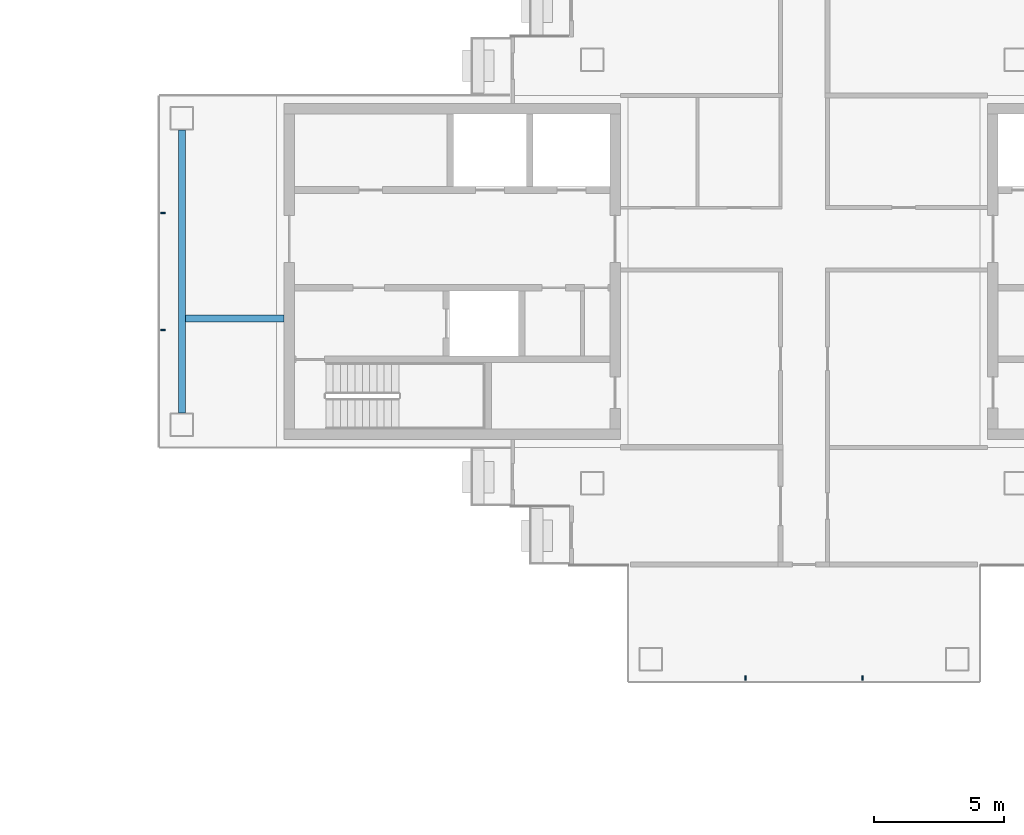
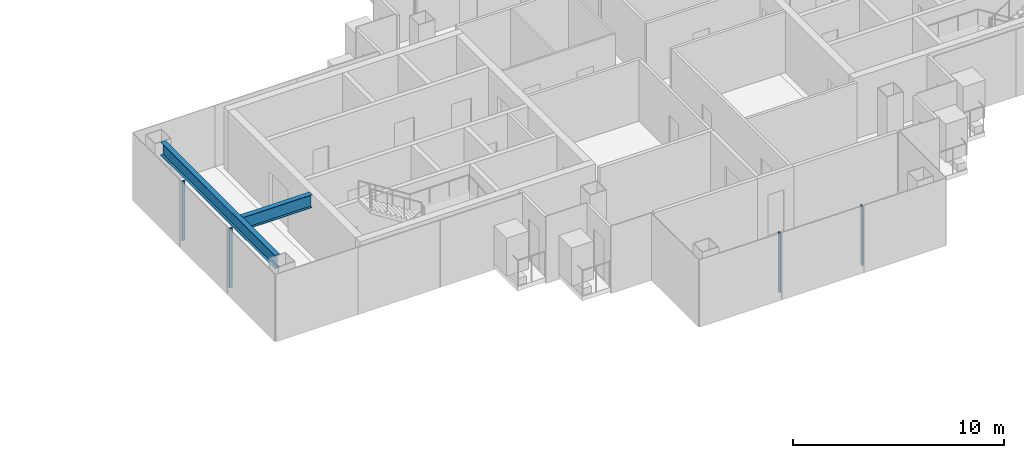
# One storey, part 5 of 17: 4 members, 2 beams, 2 elements without a shape of their own.
"""IFC4 building model written with IfcOpenShell, lengths in metres."""

from ifc_helpers import new_model, si_unit, direction, frame, origin, origin_2d, place, context, subcontext, project, spatial, rectangle, i_section, extrude, material, layer, layer_set, material_profile, profile_set, type_object, element, aggregate, save


model = new_model("IFC4")

# Units and contexts
model_context = context("Model", 3, precision=1e-05, world=origin(), true_north=direction((0.0, 1.0)))
body_context = subcontext(model_context, "Body", "Model", "MODEL_VIEW")
ifc_project = project(units=[si_unit("LENGTHUNIT", "METRE"), si_unit("AREAUNIT", "SQUARE_METRE"), si_unit("VOLUMEUNIT", "CUBIC_METRE"), si_unit("PLANEANGLEUNIT", "RADIAN"), si_unit("MASSUNIT", "GRAM", prefix="KILO")], contexts=[model_context])

# Site, building, storey
site_placement = place(None, origin())
site = spatial("IfcSite", under=ifc_project, at=site_placement, CompositionType="ELEMENT")
building_placement = place(site_placement, origin())
building = spatial("IfcBuilding", under=site, at=building_placement, Name="Shamsa Quay Exchange Towers", CompositionType="ELEMENT")
storey_placement = place(building_placement, frame((0.0, 0.0, 238.199951171875)))
storey = spatial("IfcBuildingStorey", under=building, at=storey_placement, Name="L57", CompositionType="ELEMENT", Elevation=238.199951171875)

# Curtain wall, members
ifc_material_1 = material(Name="Aluminium EN AW-6063 T6, black anodised", Category="aluminium")
ifc_layer = layer(ifc_material_1, 0.280029296875)
ifc_layer_set = layer_set([ifc_layer], Name="CW-1 UNITISED VISION GLASS")
curtain_wall_type = type_object("IfcCurtainWallType", Name="CW-1 UNITISED VISION GLASS", PredefinedType="NOTDEFINED", material=ifc_layer_set)
curtain_wall_1_placement = place(storey_placement, origin())
curtain_wall_1 = element("IfcCurtainWall", 1, at=curtain_wall_1_placement, inside=storey, type_object=curtain_wall_type, Name="CW1 T2-END-V+ L57", PredefinedType="NOTDEFINED")
ifc_material_profile_1 = material_profile(ifc_material_1, rectangle(XDim=0.179931640625, YDim=0.06005859375, at=origin_2d()), Name="MU60x180")
ifc_profile_set_1 = profile_set([ifc_material_profile_1], Name="Aluminium EN AW-6063 T6, black anodised")
member_type = type_object("IfcMemberType", Name="CW1 MULLION 60x180", PredefinedType="MULLION", material=ifc_profile_set_1)
member_1_placement = place(storey_placement, frame((9.14990234375, 2.25, 0.0)))
member_1 = element("IfcMember", 2, at=member_1_placement, type_object=member_type, Name="CW1 mullion", PredefinedType="MULLION", context=body_context, shape_type="SweptSolid", body=[
    extrude(rectangle(XDim=0.179931640625, YDim=0.06005859375, at=origin_2d()), origin(), (0.0, 0.0, 1.0), 3.449951171875),
])
member_2_placement = place(storey_placement, frame((9.14990234375, -2.25, 0.0)))
member_2 = element("IfcMember", 3, at=member_2_placement, type_object=member_type, Name="CW1 mullion", PredefinedType="MULLION", context=body_context, shape_type="SweptSolid", body=[
    extrude(rectangle(XDim=0.179931640625, YDim=0.06005859375, at=origin_2d()), origin(), (0.0, 0.0, 1.0), 3.449951171875),
])
aggregate(curtain_wall_1, [member_1, member_2])

curtain_wall_2_placement = place(storey_placement, origin())
curtain_wall_2 = element("IfcCurtainWall", 4, at=curtain_wall_2_placement, inside=storey, type_object=curtain_wall_type, Name="CW1 T2-END-U- L57", PredefinedType="NOTDEFINED")
member_3_placement = place(storey_placement, frame((31.5, -15.60009765625, 0.0), z_axis=(0.0, 0.0, 1.0), x_axis=(0.0, 1.0, 0.0)))
member_3 = element("IfcMember", 5, at=member_3_placement, type_object=member_type, Name="CW1 mullion", PredefinedType="MULLION", context=body_context, shape_type="SweptSolid", body=[
    extrude(rectangle(XDim=0.179931640625, YDim=0.06005859375, at=origin_2d()), origin(), (0.0, 0.0, 1.0), 3.449951171875),
])
member_4_placement = place(storey_placement, frame((36.0, -15.60009765625, 0.0), z_axis=(0.0, 0.0, 1.0), x_axis=(0.0, 1.0, 0.0)))
member_4 = element("IfcMember", 6, at=member_4_placement, type_object=member_type, Name="CW1 mullion", PredefinedType="MULLION", context=body_context, shape_type="SweptSolid", body=[
    extrude(rectangle(XDim=0.179931640625, YDim=0.06005859375, at=origin_2d()), origin(), (0.0, 0.0, 1.0), 3.449951171875),
])
aggregate(curtain_wall_2, [member_3, member_4])

# Beams
ifc_material_2 = material(Name="Steel S355", Category="steel")
ifc_material_profile_2 = material_profile(ifc_material_2, i_section(OverallWidth=0.26611328125, OverallDepth=0.7578125, WebThickness=0.013916015625, FlangeThickness=0.019287109375, at=origin_2d()), Name="W30x108")
ifc_profile_set_2 = profile_set([ifc_material_profile_2], Name="Steel S355")
beam_type = type_object("IfcBeamType", Name="End-zone beam W30x108", PredefinedType="BEAM", material=ifc_profile_set_2)
beam_1_placement = place(storey_placement, frame((9.875, -5.425048828125, 3.171142578125), z_axis=(0.0, 1.0, 0.0), x_axis=(-1.0, 0.0, 0.0)))
element("IfcBeam", 7, at=beam_1_placement, inside=storey, type_object=beam_type, Name="End beam T2 V+ end zone L57", PredefinedType="BEAM", context=body_context, shape_type="SweptSolid", body=[
    extrude(i_section(OverallWidth=0.26611328125, OverallDepth=0.7578125, WebThickness=0.013916015625, FlangeThickness=0.019287109375, at=origin_2d()), origin(), (0.0, 0.0, 1.0), 10.85009765625),
])
beam_2_placement = place(storey_placement, frame((13.800048828125, -1.800048828125, 3.171142578125), z_axis=(-1.0, 0.0, 0.0), x_axis=(0.0, -1.0, 0.0)))
element("IfcBeam", 8, at=beam_2_placement, inside=storey, type_object=beam_type, Name="Spine beam T2 V+ end zone L57", PredefinedType="BEAM", context=body_context, shape_type="SweptSolid", body=[
    extrude(i_section(OverallWidth=0.26611328125, OverallDepth=0.7578125, WebThickness=0.013916015625, FlangeThickness=0.019287109375, at=origin_2d()), origin(), (0.0, 0.0, 1.0), 3.7919921875),
])

save(model, "model.ifc")
